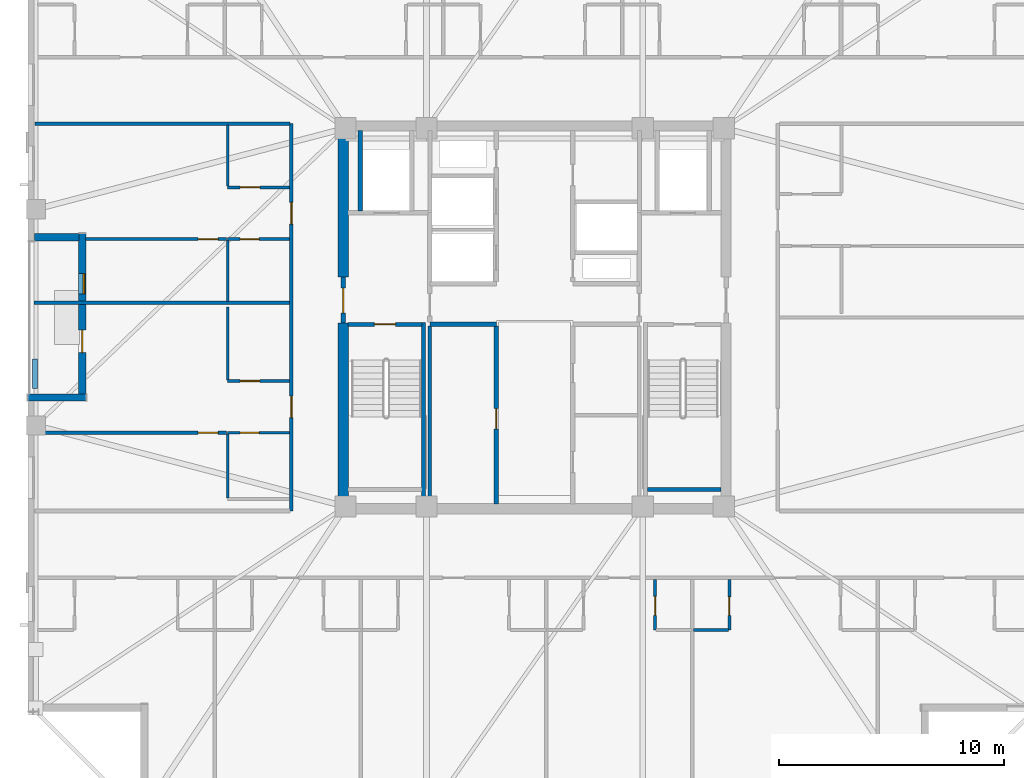
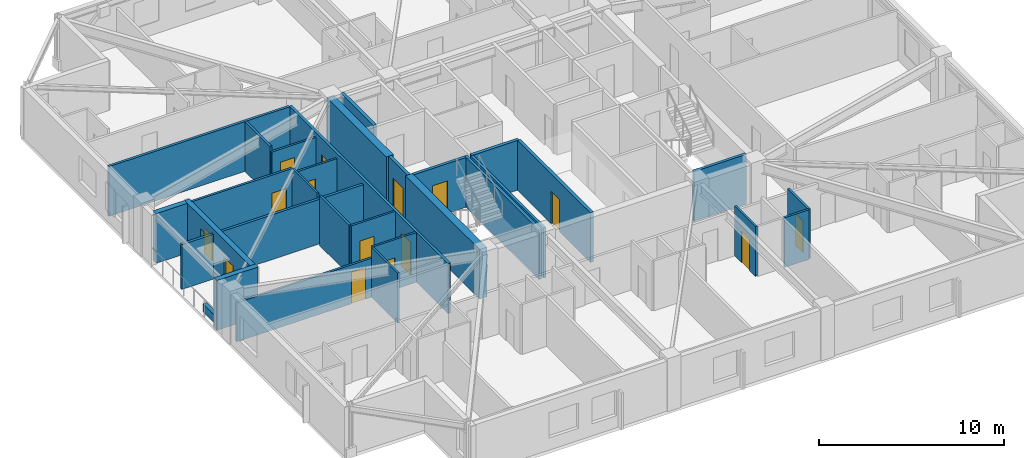
# One storey, part 8 of 17: 30 walls, 14 doors, 1 window, 15 openings.
"""IFC4 building model written with IfcOpenShell, lengths in metres."""

from ifc_helpers import new_model, si_unit, direction, frame, frame_2d, origin, place, context, subcontext, project, spatial, rectangle, extrude, material, layer, layer_set, type_object, element, fill, save


model = new_model("IFC4")

# Units and contexts
model_context = context("Model", 3, precision=1e-05, world=origin(), true_north=direction((0.0, 1.0)))
body_context = subcontext(model_context, "Body", "Model", "MODEL_VIEW")
ifc_project = project(units=[si_unit("LENGTHUNIT", "METRE"), si_unit("AREAUNIT", "SQUARE_METRE"), si_unit("VOLUMEUNIT", "CUBIC_METRE"), si_unit("PLANEANGLEUNIT", "RADIAN"), si_unit("MASSUNIT", "GRAM", prefix="KILO")], contexts=[model_context])

# Site, building, storey
site_placement = place(None, origin())
site = spatial("IfcSite", under=ifc_project, at=site_placement, CompositionType="ELEMENT")
building_placement = place(site_placement, origin())
building = spatial("IfcBuilding", under=site, at=building_placement, Name="Cairnveth Concourse Tower", CompositionType="ELEMENT")
storey_placement = place(building_placement, frame((0.0, 0.0, 241.0)))
storey = spatial("IfcBuildingStorey", under=building, at=storey_placement, Name="L66", CompositionType="ELEMENT", Elevation=241.0)

# Wall
ifc_material_1 = material(Name="Gypsum Plasterboard Partition", Category="gypsum")
ifc_layer_1 = layer(ifc_material_1, 0.159912109375)
ifc_layer_set_1 = layer_set([ifc_layer_1], Name="Gypsum Plasterboard Partition")
wall_type_1 = type_object("IfcWallType", Name="ACOUSTIC PARTY WALL 180", PredefinedType="PARTITIONING", material=ifc_layer_set_1)
wall_1_placement = place(storey_placement, frame((47.35009765625, 30.7099609375, 0.0), z_axis=(0.0, 0.0, 1.0), x_axis=(0.0, 1.0, 0.0)))
element("IfcWall", 1, at=wall_1_placement, inside=storey, type_object=wall_type_1, Name="Interior Wall IW-L66-025", PredefinedType="PARTITIONING", context=body_context, shape_type="SweptSolid", body=[
    extrude(rectangle(XDim=7.905029296875, YDim=0.159912109375, at=frame_2d((3.95263671875, 0.0))), origin(), (0.0, 0.0, 1.0), 3.2900390625),
])

# Wall, openings, doors
wall_2_placement = place(storey_placement, frame((41.199951171875, 30.39990234375, 0.0), z_axis=(0.0, 0.0, 1.0), x_axis=(0.0, 1.0, 0.0)))
wall_2 = element("IfcWall", 2, at=wall_2_placement, inside=storey, type_object=wall_type_1, Name="Interior Wall IW-L66-036", PredefinedType="PARTITIONING", context=body_context, shape_type="SweptSolid", body=[
    extrude(rectangle(XDim=17.2001953125, YDim=0.159912109375, at=frame_2d((8.60009765625, 0.0))), origin(), (0.0, 0.0, 1.0), 3.2900390625),
])
opening_1_placement = place(wall_2_placement, frame((4.14501953125, 0.0, 0.0)))
opening_1 = element("IfcOpeningElement", 3, at=opening_1_placement, cuts=wall_2, Name="Opening ID10", PredefinedType="OPENING", context=body_context, shape_type="SweptSolid", body=[
    extrude(rectangle(XDim=0.9599609375, YDim=2.179931640625, at=frame_2d((0.47998046875, 1.08984375))), frame((0.0, 0.08984375, 0.0), z_axis=(0.0, -1.0, 0.0), x_axis=(1.0, 0.0, 0.0)), (0.0, 0.0, 1.0), 0.179931640625),
])
opening_2_placement = place(wall_2_placement, frame((12.7451171875, 0.0, 0.0)))
opening_2 = element("IfcOpeningElement", 4, at=opening_2_placement, cuts=wall_2, Name="Opening ID10", PredefinedType="OPENING", context=body_context, shape_type="SweptSolid", body=[
    extrude(rectangle(XDim=0.9599609375, YDim=2.179931640625, at=frame_2d((0.47998046875, 1.08984375))), frame((0.0, 0.08984375, 0.0), z_axis=(0.0, -1.0, 0.0), x_axis=(1.0, 0.0, 0.0)), (0.0, 0.0, 1.0), 0.179931640625),
])
ifc_material_2 = material(Name="Solid Core Hardwood Timber Leaf", Category="wood")
door_type_1 = type_object("IfcDoorType", Name="FLAT ENTRANCE DOOR 960X2150", OperationType="NOTDEFINED", PredefinedType="DOOR", material=ifc_material_2)
door_1_placement = place(opening_1_placement, origin())
door_1 = element("IfcDoor", 5, at=door_1_placement, inside=storey, type_object=door_type_1, Name="Apartment L66W1 Entrance Door", OperationType="SINGLE_SWING_LEFT", OverallHeight=2.179931640625, OverallWidth=0.9599609375, PredefinedType="DOOR", context=body_context, shape_type="SweptSolid", body=[
    extrude(rectangle(XDim=0.9599609375, YDim=2.179931640625, at=frame_2d((0.47998046875, 1.08984375))), frame((0.0, 0.02490234375, 0.0), z_axis=(0.0, -1.0, 0.0), x_axis=(1.0, 0.0, 0.0)), (0.0, 0.0, 1.0), 0.050048828125),
])
fill(opening_1, door_1)
door_2_placement = place(opening_2_placement, origin())
door_2 = element("IfcDoor", 6, at=door_2_placement, inside=storey, type_object=door_type_1, Name="Apartment L66W2 Entrance Door", OperationType="SINGLE_SWING_LEFT", OverallHeight=2.179931640625, OverallWidth=0.9599609375, PredefinedType="DOOR", context=body_context, shape_type="SweptSolid", body=[
    extrude(rectangle(XDim=0.9599609375, YDim=2.179931640625, at=frame_2d((0.47998046875, 1.08984375))), frame((0.0, 0.02490234375, 0.0), z_axis=(0.0, -1.0, 0.0), x_axis=(1.0, 0.0, 0.0)), (0.0, 0.0, 1.0), 0.050048828125),
])
fill(opening_2, door_2)

# Walls
wall_3_placement = place(storey_placement, frame((29.804931640625, 47.60009765625, 0.0), z_axis=(0.0, 0.0, 1.0), x_axis=(1.0, 0.0, 0.0)))
element("IfcWall", 7, at=wall_3_placement, inside=storey, type_object=wall_type_1, Name="Interior Wall IW-L66-039", PredefinedType="PARTITIONING", context=body_context, shape_type="SweptSolid", body=[
    extrude(rectangle(XDim=11.330078125, YDim=0.159912109375, at=frame_2d((5.6650390625, 0.0))), origin(), (0.0, 0.0, 1.0), 3.2900390625),
])
wall_4_placement = place(storey_placement, frame((29.77001953125, 39.64990234375, 0.0), z_axis=(0.0, 0.0, 1.0), x_axis=(1.0, 0.0, 0.0)))
element("IfcWall", 8, at=wall_4_placement, inside=storey, type_object=wall_type_1, Name="Interior Wall IW-L66-095", PredefinedType="PARTITIONING", context=body_context, shape_type="SweptSolid", body=[
    extrude(rectangle(XDim=11.35009765625, YDim=0.159912109375, at=frame_2d((5.675048828125, 0.0))), origin(), (0.0, 0.0, 1.0), 2.9580078125),
])
ifc_material_3 = material(Name="Concrete N65 (65 MPa)", Category="concrete")
ifc_layer_2 = layer(ifc_material_3, 0.449951171875)
ifc_layer_set_2 = layer_set([ifc_layer_2], Name="Concrete N65 (65 MPa)")
wall_type_2 = type_object("IfcWallType", Name="CORE SHEAR WALL 450", PredefinedType="SHEAR", material=ifc_layer_set_2)
wall_5_placement = place(storey_placement, frame((43.5, 30.715087890625, 0.0), z_axis=(0.0, 0.0, 1.0), x_axis=(0.0, 1.0, 0.0)))
element("IfcWall", 9, at=wall_5_placement, inside=storey, type_object=wall_type_2, Name="Core West Shear Wall S L66", PredefinedType="SHEAR", context=body_context, shape_type="SweptSolid", body=[
    extrude(rectangle(XDim=8.034912109375, YDim=0.449951171875, at=frame_2d((4.017578125, 0.0))), origin(), (0.0, 0.0, 1.0), 3.2900390625),
])
wall_6_placement = place(storey_placement, frame((43.5, 40.800048828125, 0.0), z_axis=(0.0, 0.0, 1.0), x_axis=(0.0, 1.0, 0.0)))
element("IfcWall", 10, at=wall_6_placement, inside=storey, type_object=wall_type_2, Name="Core West Shear Wall N L66", PredefinedType="SHEAR", context=body_context, shape_type="SweptSolid", body=[
    extrude(rectangle(XDim=6.48486328125, YDim=0.449951171875, at=frame_2d((3.242431640625, 0.0))), origin(), (0.0, 0.0, 1.0), 3.2900390625),
])

# Wall, opening, door
ifc_material_4 = material(Name="Concrete N50 (50 MPa)", Category="concrete")
ifc_layer_3 = layer(ifc_material_4, 0.179931640625)
ifc_layer_set_3 = layer_set([ifc_layer_3], Name="Concrete N50 (50 MPa)")
wall_type_3 = type_object("IfcWallType", Name="FIRE SHAFT WALL 180", PredefinedType="SOLIDWALL", material=ifc_layer_set_3)
wall_7_placement = place(storey_placement, frame((43.715087890625, 38.68994140625, 0.0), z_axis=(0.0, 0.0, 1.0), x_axis=(1.0, 0.0, 0.0)))
wall_7 = element("IfcWall", 11, at=wall_7_placement, inside=storey, type_object=wall_type_3, Name="Stair ST-1 Shaft Wall NEAR L66", PredefinedType="SOLIDWALL", context=body_context, shape_type="SweptSolid", body=[
    extrude(rectangle(XDim=3.280029296875, YDim=0.179931640625, at=frame_2d((1.64013671875, 0.0))), origin(), (0.0, 0.0, 1.0), 3.2900390625),
])
opening_3_placement = place(wall_7_placement, frame((1.1650390625, 0.0, 0.0)))
opening_3 = element("IfcOpeningElement", 12, at=opening_3_placement, cuts=wall_7, Name="Opening ID12", PredefinedType="OPENING", context=body_context, shape_type="SweptSolid", body=[
    extrude(rectangle(XDim=0.949951171875, YDim=2.14990234375, at=frame_2d((0.47509765625, 1.074951171875))), frame((0.0, 0.099853515625, 0.0), z_axis=(0.0, -1.0, 0.0), x_axis=(1.0, 0.0, 0.0)), (0.0, 0.0, 1.0), 0.199951171875),
])
ifc_material_5 = material(Name="Steel Grade 350", Category="steel")
door_type_2 = type_object("IfcDoorType", Name="FIRE STAIR DOOR 950X2150", OperationType="NOTDEFINED", PredefinedType="DOOR", material=ifc_material_5)
door_3_placement = place(opening_3_placement, origin())
door_3 = element("IfcDoor", 13, at=door_3_placement, inside=storey, type_object=door_type_2, Name="Stair ST-1 Fire Door L66", OperationType="SINGLE_SWING_LEFT", OverallHeight=2.14990234375, OverallWidth=0.949951171875, PredefinedType="DOOR", context=body_context, shape_type="SweptSolid", body=[
    extrude(rectangle(XDim=0.949951171875, YDim=2.14990234375, at=frame_2d((0.47509765625, 1.074951171875))), frame((0.0, 0.02490234375, 0.0), z_axis=(0.0, -1.0, 0.0), x_axis=(1.0, 0.0, 0.0)), (0.0, 0.0, 1.0), 0.050048828125),
])
fill(opening_3, door_3)

# Walls
wall_8_placement = place(storey_placement, frame((47.070068359375, 38.780029296875, 0.0), z_axis=(0.0, 0.0, 1.0), x_axis=(0.0, -1.0, 0.0)))
element("IfcWall", 14, at=wall_8_placement, inside=storey, type_object=wall_type_3, Name="Stair ST-1 Shaft Wall RGHT L66", PredefinedType="SOLIDWALL", context=body_context, shape_type="SweptSolid", body=[
    extrude(rectangle(XDim=8.067138671875, YDim=0.179931640625, at=frame_2d((4.03369140625, 0.0))), origin(), (0.0, 0.0, 1.0), 3.2900390625),
])
wall_9_placement = place(storey_placement, frame((57.0048828125, 31.360107421875, 0.0), z_axis=(0.0, 0.0, 1.0), x_axis=(1.0, 0.0, 0.0)))
element("IfcWall", 15, at=wall_9_placement, inside=storey, type_object=wall_type_3, Name="Stair ST-2 Shaft Wall FAR L66", PredefinedType="SOLIDWALL", context=body_context, shape_type="SweptSolid", body=[
    extrude(rectangle(XDim=3.280029296875, YDim=0.179931640625, at=frame_2d((1.64013671875, 0.0))), origin(), (0.0, 0.0, 1.0), 3.2900390625),
])
ifc_layer_4 = layer(ifc_material_4, 0.199951171875)
ifc_layer_set_4 = layer_set([ifc_layer_4], Name="Concrete N50 (50 MPa)")
wall_type_4 = type_object("IfcWallType", Name="FIRE SHAFT WALL 200", PredefinedType="SOLIDWALL", material=ifc_layer_set_4)
wall_10_placement = place(storey_placement, frame((47.35009765625, 38.699951171875, 0.0), z_axis=(0.0, 0.0, 1.0), x_axis=(1.0, 0.0, 0.0)))
element("IfcWall", 16, at=wall_10_placement, inside=storey, type_object=wall_type_4, Name="Interior Wall IW-L66-007", PredefinedType="SOLIDWALL", context=body_context, shape_type="SweptSolid", body=[
    extrude(rectangle(XDim=2.949951171875, YDim=0.199951171875, at=frame_2d((1.47509765625, 0.0))), origin(), (0.0, 0.0, 1.0), 3.2900390625),
])

# Wall, opening, door
wall_11_placement = place(storey_placement, frame((50.300048828125, 30.7099609375, 0.0), z_axis=(0.0, 0.0, 1.0), x_axis=(0.0, 1.0, 0.0)))
wall_11 = element("IfcWall", 17, at=wall_11_placement, inside=storey, type_object=wall_type_4, Name="Interior Wall IW-L66-011", PredefinedType="SOLIDWALL", context=body_context, shape_type="SweptSolid", body=[
    extrude(rectangle(XDim=7.905029296875, YDim=0.199951171875, at=frame_2d((3.95263671875, 0.0))), origin(), (0.0, 0.0, 1.0), 3.2900390625),
])
opening_4_placement = place(wall_11_placement, frame((3.340087890625, 0.0, 0.0)))
opening_4 = element("IfcOpeningElement", 18, at=opening_4_placement, cuts=wall_11, Name="Opening ID16", PredefinedType="OPENING", context=body_context, shape_type="SweptSolid", body=[
    extrude(rectangle(XDim=0.89990234375, YDim=2.1201171875, at=frame_2d((0.449951171875, 1.06005859375))), frame((0.0, 0.10986328125, 0.0), z_axis=(0.0, -1.0, 0.0), x_axis=(1.0, 0.0, 0.0)), (0.0, 0.0, 1.0), 0.219970703125),
])
door_type_3 = type_object("IfcDoorType", Name="CORE SERVICE DOOR 900X2100", OperationType="NOTDEFINED", PredefinedType="DOOR", material=ifc_material_5)
door_4_placement = place(opening_4_placement, origin())
door_4 = element("IfcDoor", 19, at=door_4_placement, inside=storey, type_object=door_type_3, Name="Linen Pantry Suite Door L66", OperationType="SINGLE_SWING_LEFT", OverallHeight=2.1201171875, OverallWidth=0.89990234375, PredefinedType="DOOR", context=body_context, shape_type="SweptSolid", body=[
    extrude(rectangle(XDim=0.89990234375, YDim=2.1201171875, at=frame_2d((0.449951171875, 1.06005859375))), frame((0.0, 0.02490234375, 0.0), z_axis=(0.0, -1.0, 0.0), x_axis=(1.0, 0.0, 0.0)), (0.0, 0.0, 1.0), 0.050048828125),
])
fill(opening_4, door_4)

wall_12_placement = place(storey_placement, frame((43.5, 38.75, 0.0), z_axis=(0.0, 0.0, 1.0), x_axis=(0.0, 1.0, 0.0)))
wall_12 = element("IfcWall", 20, at=wall_12_placement, inside=storey, type_object=wall_type_4, Name="Interior Wall IW-L66-015", PredefinedType="SOLIDWALL", context=body_context, shape_type="SweptSolid", body=[
    extrude(rectangle(XDim=2.050048828125, YDim=0.199951171875, at=frame_2d((1.02490234375, 0.0))), origin(), (0.0, 0.0, 1.0), 3.2900390625),
])
opening_5_placement = place(wall_12_placement, frame((0.449951171875, 0.0, 0.0)))
opening_5 = element("IfcOpeningElement", 21, at=opening_5_placement, cuts=wall_12, Name="Opening ID06", PredefinedType="OPENING", context=body_context, shape_type="SweptSolid", body=[
    extrude(rectangle(XDim=1.10009765625, YDim=2.14990234375, at=frame_2d((0.550048828125, 1.074951171875))), frame((0.0, 0.10986328125, 0.0), z_axis=(0.0, -1.0, 0.0), x_axis=(1.0, 0.0, 0.0)), (0.0, 0.0, 1.0), 0.219970703125),
])
door_type_4 = type_object("IfcDoorType", Name="FIRE CORRIDOR DOOR 1100X2150", OperationType="NOTDEFINED", PredefinedType="DOOR", material=ifc_material_5)
door_5_placement = place(opening_5_placement, origin())
door_5 = element("IfcDoor", 22, at=door_5_placement, inside=storey, type_object=door_type_4, Name="West Wing to FF Lobby Door L66", OperationType="SINGLE_SWING_LEFT", OverallHeight=2.14990234375, OverallWidth=1.10009765625, PredefinedType="DOOR", context=body_context, shape_type="SweptSolid", body=[
    extrude(rectangle(XDim=1.10009765625, YDim=2.14990234375, at=frame_2d((0.550048828125, 1.074951171875))), frame((0.0, 0.02490234375, 0.0), z_axis=(0.0, -1.0, 0.0), x_axis=(1.0, 0.0, 0.0)), (0.0, 0.0, 1.0), 0.050048828125),
])
fill(opening_5, door_5)

# Wall
wall_13_placement = place(storey_placement, frame((44.25, 43.735107421875, 0.0), z_axis=(0.0, 0.0, 1.0), x_axis=(0.0, 1.0, 0.0)))
element("IfcWall", 23, at=wall_13_placement, inside=storey, type_object=wall_type_4, Name="Interior Wall IW-L66-019", PredefinedType="SOLIDWALL", context=body_context, shape_type="SweptSolid", body=[
    extrude(rectangle(XDim=3.554931640625, YDim=0.199951171875, at=frame_2d((1.77734375, 0.0))), origin(), (0.0, 0.0, 1.0), 3.2900390625),
])

# Wall, opening, door
ifc_layer_5 = layer(ifc_material_1, 0.139892578125)
ifc_layer_set_5 = layer_set([ifc_layer_5], Name="Gypsum Plasterboard Partition")
wall_type_5 = type_object("IfcWallType", Name="GYPSUM STUD PARTITION 140", PredefinedType="PARTITIONING", material=ifc_layer_set_5)
wall_14_placement = place(storey_placement, frame((29.8798828125, 33.875, 0.0), z_axis=(0.0, 0.0, 1.0), x_axis=(1.0, 0.0, 0.0)))
wall_14 = element("IfcWall", 24, at=wall_14_placement, inside=storey, type_object=wall_type_5, Name="Interior Wall IW-L66-101", PredefinedType="PARTITIONING", context=body_context, shape_type="SweptSolid", body=[
    extrude(rectangle(XDim=8.440185546875, YDim=0.139892578125, at=frame_2d((4.22021484375, 0.0))), origin(), (0.0, 0.0, 1.0), 2.572998046875),
])
opening_6_placement = place(wall_14_placement, frame((7.179931640625, 0.0, 0.0)))
opening_6 = element("IfcOpeningElement", 25, at=opening_6_placement, cuts=wall_14, Name="Opening ID18", PredefinedType="OPENING", context=body_context, shape_type="SweptSolid", body=[
    extrude(rectangle(XDim=0.8798828125, YDim=2.10009765625, at=frame_2d((0.43994140625, 1.050048828125))), frame((0.0, 0.079833984375, 0.0), z_axis=(0.0, -1.0, 0.0), x_axis=(1.0, 0.0, 0.0)), (0.0, 0.0, 1.0), 0.159912109375),
])
door_type_5 = type_object("IfcDoorType", Name="INTERIOR SINGLE DOOR 880X2100", OperationType="NOTDEFINED", PredefinedType="DOOR", material=ifc_material_2)
door_6_placement = place(opening_6_placement, origin())
door_6 = element("IfcDoor", 26, at=door_6_placement, inside=storey, type_object=door_type_5, Name="L66W1 Master Bedroom Door", OperationType="SINGLE_SWING_RIGHT", OverallHeight=2.10009765625, OverallWidth=0.8798828125, PredefinedType="DOOR", context=body_context, shape_type="SweptSolid", body=[
    extrude(rectangle(XDim=0.8798828125, YDim=2.10009765625, at=frame_2d((0.43994140625, 1.050048828125))), frame((0.0, 0.02490234375, 0.0), z_axis=(0.0, -1.0, 0.0), x_axis=(1.0, 0.0, 0.0)), (0.0, 0.0, 1.0), 0.050048828125),
])
fill(opening_6, door_6)

wall_15_placement = place(storey_placement, frame((32.054931640625, 42.47509765625, 0.0), z_axis=(0.0, 0.0, 1.0), x_axis=(1.0, 0.0, 0.0)))
wall_15 = element("IfcWall", 27, at=wall_15_placement, inside=storey, type_object=wall_type_5, Name="Interior Wall IW-L66-106", PredefinedType="PARTITIONING", context=body_context, shape_type="SweptSolid", body=[
    extrude(rectangle(XDim=6.26513671875, YDim=0.139892578125, at=frame_2d((3.132568359375, 0.0))), origin(), (0.0, 0.0, 1.0), 3.2900390625),
])
opening_7_placement = place(wall_15_placement, frame((5.0048828125, 0.0, 0.0)))
opening_7 = element("IfcOpeningElement", 28, at=opening_7_placement, cuts=wall_15, Name="Opening ID18", PredefinedType="OPENING", context=body_context, shape_type="SweptSolid", body=[
    extrude(rectangle(XDim=0.8798828125, YDim=2.10009765625, at=frame_2d((0.43994140625, 1.050048828125))), frame((0.0, 0.079833984375, 0.0), z_axis=(0.0, -1.0, 0.0), x_axis=(1.0, 0.0, 0.0)), (0.0, 0.0, 1.0), 0.159912109375),
])
door_7_placement = place(opening_7_placement, origin())
door_7 = element("IfcDoor", 29, at=door_7_placement, inside=storey, type_object=door_type_5, Name="L66W2 Master Bedroom Door", OperationType="SINGLE_SWING_RIGHT", OverallHeight=2.10009765625, OverallWidth=0.8798828125, PredefinedType="DOOR", context=body_context, shape_type="SweptSolid", body=[
    extrude(rectangle(XDim=0.8798828125, YDim=2.10009765625, at=frame_2d((0.43994140625, 1.050048828125))), frame((0.0, 0.02490234375, 0.0), z_axis=(0.0, -1.0, 0.0), x_axis=(1.0, 0.0, 0.0)), (0.0, 0.0, 1.0), 0.050048828125),
])
fill(opening_7, door_7)

# Wall
ifc_material_6 = material(Name="Dressed Melbourne Bluestone Cladding", Category="masonry")
ifc_layer_6 = layer(ifc_material_6, 0.219970703125)
ifc_layer_set_6 = layer_set([ifc_layer_6], Name="Dressed Melbourne Bluestone Cladding")
wall_type_6 = type_object("IfcWallType", Name="TERRACE PLANTER CURB WALL 220", PredefinedType="PARAPET", material=ifc_layer_set_6)
wall_16_placement = place(storey_placement, frame((29.820068359375, 35.85009765625, 0.0), z_axis=(0.0, 0.0, 1.0), x_axis=(0.0, 1.0, 0.0)))
element("IfcWall", 30, at=wall_16_placement, inside=storey, type_object=wall_type_6, Name="Exterior Wall PLNT-L66-TERR", PredefinedType="PARAPET", context=body_context, shape_type="SweptSolid", body=[
    extrude(rectangle(XDim=1.2998046875, YDim=0.219970703125, at=frame_2d((0.64990234375, 0.0))), origin(), (0.0, 0.0, 1.0), 0.550048828125),
])

# Wall, opening, door
ifc_layer_7 = layer(ifc_material_1, 0.1298828125)
ifc_layer_set_7 = layer_set([ifc_layer_7], Name="Gypsum Plasterboard Partition")
wall_type_7 = type_object("IfcWallType", Name="WET AREA PARTITION 140", PredefinedType="PLUMBINGWALL", material=ifc_layer_set_7)
wall_17_placement = place(storey_placement, frame((57.35009765625, 25.112548828125, 0.0), z_axis=(0.0, 0.0, 1.0), x_axis=(0.0, 1.0, 0.0)))
wall_17 = element("IfcWall", 31, at=wall_17_placement, inside=storey, type_object=wall_type_7, Name="Interior Wall IW-L66-059", PredefinedType="PLUMBINGWALL", context=body_context, shape_type="SweptSolid", body=[
    extrude(rectangle(XDim=2.25, YDim=0.1298828125, at=frame_2d((1.125, 0.0))), origin(), (0.0, 0.0, 1.0), 3.2900390625),
])
opening_8_placement = place(wall_17_placement, frame((0.64990234375, 0.0, 0.0)))
opening_8 = element("IfcOpeningElement", 32, at=opening_8_placement, cuts=wall_17, Name="Opening ID20", PredefinedType="OPENING", context=body_context, shape_type="SweptSolid", body=[
    extrude(rectangle(XDim=0.85009765625, YDim=2.10009765625, at=frame_2d((0.425048828125, 1.050048828125))), frame((0.0, 0.074951171875, 0.0), z_axis=(0.0, -1.0, 0.0), x_axis=(1.0, 0.0, 0.0)), (0.0, 0.0, 1.0), 0.14990234375),
])
door_type_6 = type_object("IfcDoorType", Name="INTERIOR SINGLE DOOR 850X2100", OperationType="NOTDEFINED", PredefinedType="DOOR", material=ifc_material_2)
door_8_placement = place(opening_8_placement, origin())
door_8 = element("IfcDoor", 33, at=door_8_placement, inside=storey, type_object=door_type_6, Name="L66STS4 Kitchen Door", OperationType="SINGLE_SWING_LEFT", OverallHeight=2.10009765625, OverallWidth=0.85009765625, PredefinedType="DOOR", context=body_context, shape_type="SweptSolid", body=[
    extrude(rectangle(XDim=0.85009765625, YDim=2.10009765625, at=frame_2d((0.425048828125, 1.050048828125))), frame((0.0, 0.02490234375, 0.0), z_axis=(0.0, -1.0, 0.0), x_axis=(1.0, 0.0, 0.0)), (0.0, 0.0, 1.0), 0.050048828125),
])
fill(opening_8, door_8)

wall_18_placement = place(storey_placement, frame((60.64990234375, 25.112548828125, 0.0), z_axis=(0.0, 0.0, 1.0), x_axis=(0.0, 1.0, 0.0)))
wall_18 = element("IfcWall", 34, at=wall_18_placement, inside=storey, type_object=wall_type_7, Name="Interior Wall IW-L66-062", PredefinedType="PLUMBINGWALL", context=body_context, shape_type="SweptSolid", body=[
    extrude(rectangle(XDim=2.25, YDim=0.1298828125, at=frame_2d((1.125, 0.0))), origin(), (0.0, 0.0, 1.0), 3.2900390625),
])
opening_9_placement = place(wall_18_placement, frame((0.64990234375, 0.0, 0.0)))
opening_9 = element("IfcOpeningElement", 35, at=opening_9_placement, cuts=wall_18, Name="Opening ID22", PredefinedType="OPENING", context=body_context, shape_type="SweptSolid", body=[
    extrude(rectangle(XDim=0.820068359375, YDim=2.10009765625, at=frame_2d((0.41015625, 1.050048828125))), frame((0.0, 0.074951171875, 0.0), z_axis=(0.0, -1.0, 0.0), x_axis=(1.0, 0.0, 0.0)), (0.0, 0.0, 1.0), 0.14990234375),
])
door_type_7 = type_object("IfcDoorType", Name="INTERIOR WC DOOR 820X2100", OperationType="NOTDEFINED", PredefinedType="DOOR", material=ifc_material_2)
door_9_placement = place(opening_9_placement, origin())
door_9 = element("IfcDoor", 36, at=door_9_placement, inside=storey, type_object=door_type_7, Name="L66STS5 Bathroom Door", OperationType="SINGLE_SWING_LEFT", OverallHeight=2.10009765625, OverallWidth=0.820068359375, PredefinedType="DOOR", context=body_context, shape_type="SweptSolid", body=[
    extrude(rectangle(XDim=0.820068359375, YDim=2.10009765625, at=frame_2d((0.41015625, 1.050048828125))), frame((0.0, 0.02490234375, 0.0), z_axis=(0.0, -1.0, 0.0), x_axis=(1.0, 0.0, 0.0)), (0.0, 0.0, 1.0), 0.050048828125),
])
fill(opening_9, door_9)

# Wall
wall_19_placement = place(storey_placement, frame((59.06494140625, 25.112548828125, 0.0), z_axis=(0.0, 0.0, 1.0), x_axis=(1.0, 0.0, 0.0)))
element("IfcWall", 37, at=wall_19_placement, inside=storey, type_object=wall_type_7, Name="Interior Wall IW-L66-063", PredefinedType="PLUMBINGWALL", context=body_context, shape_type="SweptSolid", body=[
    extrude(rectangle(XDim=1.53515625, YDim=0.1298828125, at=frame_2d((0.767578125, 0.0))), origin(), (0.0, 0.0, 1.0), 3.2900390625),
])

# Wall, opening, door
wall_20_placement = place(storey_placement, frame((38.3701171875, 33.875, 0.0), z_axis=(0.0, 0.0, 1.0), x_axis=(1.0, 0.0, 0.0)))
wall_20 = element("IfcWall", 38, at=wall_20_placement, inside=storey, type_object=wall_type_7, Name="Interior Wall IW-L66-097", PredefinedType="PLUMBINGWALL", context=body_context, shape_type="SweptSolid", body=[
    extrude(rectangle(XDim=2.75, YDim=0.1298828125, at=frame_2d((1.375, 0.0))), origin(), (0.0, 0.0, 1.0), 3.2900390625),
])
opening_10_placement = place(wall_20_placement, frame((0.550048828125, 0.0, 0.0)))
opening_10 = element("IfcOpeningElement", 39, at=opening_10_placement, cuts=wall_20, Name="Opening ID21", PredefinedType="OPENING", context=body_context, shape_type="SweptSolid", body=[
    extrude(rectangle(XDim=0.85009765625, YDim=2.080078125, at=frame_2d((0.425048828125, 1.0400390625))), frame((0.0, 0.074951171875, 0.0), z_axis=(0.0, -1.0, 0.0), x_axis=(1.0, 0.0, 0.0)), (0.0, 0.0, 1.0), 0.14990234375),
])
door_type_8 = type_object("IfcDoorType", Name="INTERIOR WC DOOR 850X2100", OperationType="NOTDEFINED", PredefinedType="DOOR", material=ifc_material_2)
door_10_placement = place(opening_10_placement, origin())
door_10 = element("IfcDoor", 40, at=door_10_placement, inside=storey, type_object=door_type_8, Name="L66W1 Bathroom Door", OperationType="SINGLE_SWING_RIGHT", OverallHeight=2.080078125, OverallWidth=0.85009765625, PredefinedType="DOOR", context=body_context, shape_type="SweptSolid", body=[
    extrude(rectangle(XDim=0.85009765625, YDim=2.080078125, at=frame_2d((0.425048828125, 1.0400390625))), frame((0.0, 0.02490234375, 0.0), z_axis=(0.0, -1.0, 0.0), x_axis=(1.0, 0.0, 0.0)), (0.0, 0.0, 1.0), 0.050048828125),
])
fill(opening_10, door_10)

# Wall
wall_21_placement = place(storey_placement, frame((38.3701171875, 30.97509765625, 0.0), z_axis=(0.0, 0.0, 1.0), x_axis=(0.0, 1.0, 0.0)))
element("IfcWall", 41, at=wall_21_placement, inside=storey, type_object=wall_type_7, Name="Interior Wall IW-L66-098", PredefinedType="PLUMBINGWALL", context=body_context, shape_type="SweptSolid", body=[
    extrude(rectangle(XDim=2.849853515625, YDim=0.1298828125, at=frame_2d((1.4248046875, 0.0))), origin(), (0.0, 0.0, 1.0), 3.2900390625),
])

# Wall, opening, door
wall_22_placement = place(storey_placement, frame((38.3701171875, 36.175048828125, 0.0), z_axis=(0.0, 0.0, 1.0), x_axis=(1.0, 0.0, 0.0)))
wall_22 = element("IfcWall", 42, at=wall_22_placement, inside=storey, type_object=wall_type_7, Name="Interior Wall IW-L66-099", PredefinedType="PLUMBINGWALL", context=body_context, shape_type="SweptSolid", body=[
    extrude(rectangle(XDim=2.75, YDim=0.1298828125, at=frame_2d((1.375, 0.0))), origin(), (0.0, 0.0, 1.0), 3.2900390625),
])
opening_11_placement = place(wall_22_placement, frame((0.550048828125, 0.0, 0.0)))
opening_11 = element("IfcOpeningElement", 43, at=opening_11_placement, cuts=wall_22, Name="Opening ID18", PredefinedType="OPENING", context=body_context, shape_type="SweptSolid", body=[
    extrude(rectangle(XDim=0.8798828125, YDim=2.10009765625, at=frame_2d((0.43994140625, 1.050048828125))), frame((0.0, 0.074951171875, 0.0), z_axis=(0.0, -1.0, 0.0), x_axis=(1.0, 0.0, 0.0)), (0.0, 0.0, 1.0), 0.14990234375),
])
door_11_placement = place(opening_11_placement, origin())
door_11 = element("IfcDoor", 44, at=door_11_placement, inside=storey, type_object=door_type_5, Name="L66W1 Kitchen Door", OperationType="SINGLE_SWING_LEFT", OverallHeight=2.10009765625, OverallWidth=0.8798828125, PredefinedType="DOOR", context=body_context, shape_type="SweptSolid", body=[
    extrude(rectangle(XDim=0.8798828125, YDim=2.10009765625, at=frame_2d((0.43994140625, 1.050048828125))), frame((0.0, 0.02490234375, 0.0), z_axis=(0.0, -1.0, 0.0), x_axis=(1.0, 0.0, 0.0)), (0.0, 0.0, 1.0), 0.050048828125),
])
fill(opening_11, door_11)

# Wall
wall_23_placement = place(storey_placement, frame((38.3701171875, 36.22509765625, 0.0), z_axis=(0.0, 0.0, 1.0), x_axis=(0.0, 1.0, 0.0)))
element("IfcWall", 45, at=wall_23_placement, inside=storey, type_object=wall_type_7, Name="Interior Wall IW-L66-100", PredefinedType="PLUMBINGWALL", context=body_context, shape_type="SweptSolid", body=[
    extrude(rectangle(XDim=3.239990234375, YDim=0.1298828125, at=frame_2d((1.6201171875, 0.0))), origin(), (0.0, 0.0, 1.0), 3.2900390625),
])

# Wall, opening, door
wall_24_placement = place(storey_placement, frame((38.3701171875, 42.47509765625, 0.0), z_axis=(0.0, 0.0, 1.0), x_axis=(1.0, 0.0, 0.0)))
wall_24 = element("IfcWall", 46, at=wall_24_placement, inside=storey, type_object=wall_type_7, Name="Interior Wall IW-L66-102", PredefinedType="PLUMBINGWALL", context=body_context, shape_type="SweptSolid", body=[
    extrude(rectangle(XDim=2.75, YDim=0.1298828125, at=frame_2d((1.375, 0.0))), origin(), (0.0, 0.0, 1.0), 2.9580078125),
])
opening_12_placement = place(wall_24_placement, frame((0.550048828125, 0.0, 0.0)))
opening_12 = element("IfcOpeningElement", 47, at=opening_12_placement, cuts=wall_24, Name="Opening ID21", PredefinedType="OPENING", context=body_context, shape_type="SweptSolid", body=[
    extrude(rectangle(XDim=0.85009765625, YDim=2.080078125, at=frame_2d((0.425048828125, 1.0400390625))), frame((0.0, 0.074951171875, 0.0), z_axis=(0.0, -1.0, 0.0), x_axis=(1.0, 0.0, 0.0)), (0.0, 0.0, 1.0), 0.14990234375),
])
door_12_placement = place(opening_12_placement, origin())
door_12 = element("IfcDoor", 48, at=door_12_placement, inside=storey, type_object=door_type_8, Name="L66W2 Bathroom Door", OperationType="SINGLE_SWING_RIGHT", OverallHeight=2.080078125, OverallWidth=0.85009765625, PredefinedType="DOOR", context=body_context, shape_type="SweptSolid", body=[
    extrude(rectangle(XDim=0.85009765625, YDim=2.080078125, at=frame_2d((0.425048828125, 1.0400390625))), frame((0.0, 0.02490234375, 0.0), z_axis=(0.0, -1.0, 0.0), x_axis=(1.0, 0.0, 0.0)), (0.0, 0.0, 1.0), 0.050048828125),
])
fill(opening_12, door_12)

# Wall
wall_25_placement = place(storey_placement, frame((38.3701171875, 39.715087890625, 0.0), z_axis=(0.0, 0.0, 1.0), x_axis=(0.0, 1.0, 0.0)))
element("IfcWall", 49, at=wall_25_placement, inside=storey, type_object=wall_type_7, Name="Interior Wall IW-L66-103", PredefinedType="PLUMBINGWALL", context=body_context, shape_type="SweptSolid", body=[
    extrude(rectangle(XDim=2.7099609375, YDim=0.1298828125, at=frame_2d((1.35498046875, 0.0))), origin(), (0.0, 0.0, 1.0), 3.2900390625),
])

# Wall, opening, door
wall_26_placement = place(storey_placement, frame((38.3701171875, 44.77490234375, 0.0), z_axis=(0.0, 0.0, 1.0), x_axis=(1.0, 0.0, 0.0)))
wall_26 = element("IfcWall", 50, at=wall_26_placement, inside=storey, type_object=wall_type_7, Name="Interior Wall IW-L66-104", PredefinedType="PLUMBINGWALL", context=body_context, shape_type="SweptSolid", body=[
    extrude(rectangle(XDim=2.75, YDim=0.1298828125, at=frame_2d((1.375, 0.0))), origin(), (0.0, 0.0, 1.0), 2.9580078125),
])
opening_13_placement = place(wall_26_placement, frame((0.550048828125, 0.0, 0.0)))
opening_13 = element("IfcOpeningElement", 51, at=opening_13_placement, cuts=wall_26, Name="Opening ID18", PredefinedType="OPENING", context=body_context, shape_type="SweptSolid", body=[
    extrude(rectangle(XDim=0.8798828125, YDim=2.10009765625, at=frame_2d((0.43994140625, 1.050048828125))), frame((0.0, 0.074951171875, 0.0), z_axis=(0.0, -1.0, 0.0), x_axis=(1.0, 0.0, 0.0)), (0.0, 0.0, 1.0), 0.14990234375),
])
door_13_placement = place(opening_13_placement, origin())
door_13 = element("IfcDoor", 52, at=door_13_placement, inside=storey, type_object=door_type_5, Name="L66W2 Kitchen Door", OperationType="SINGLE_SWING_LEFT", OverallHeight=2.10009765625, OverallWidth=0.8798828125, PredefinedType="DOOR", context=body_context, shape_type="SweptSolid", body=[
    extrude(rectangle(XDim=0.8798828125, YDim=2.10009765625, at=frame_2d((0.43994140625, 1.050048828125))), frame((0.0, 0.02490234375, 0.0), z_axis=(0.0, -1.0, 0.0), x_axis=(1.0, 0.0, 0.0)), (0.0, 0.0, 1.0), 0.050048828125),
])
fill(opening_13, door_13)

# Walls
wall_27_placement = place(storey_placement, frame((38.3701171875, 44.824951171875, 0.0), z_axis=(0.0, 0.0, 1.0), x_axis=(0.0, 1.0, 0.0)))
element("IfcWall", 53, at=wall_27_placement, inside=storey, type_object=wall_type_7, Name="Interior Wall IW-L66-105", PredefinedType="PLUMBINGWALL", context=body_context, shape_type="SweptSolid", body=[
    extrude(rectangle(XDim=2.7099609375, YDim=0.1298828125, at=frame_2d((1.35498046875, 0.0))), origin(), (0.0, 0.0, 1.0), 3.2900390625),
])
ifc_material_7 = material(Name="Melbourne Buff Fired Clay Brick Masonry", Category="masonry")
ifc_layer_8 = layer(ifc_material_7, 0.320068359375)
ifc_layer_set_8 = layer_set([ifc_layer_8], Name="Melbourne Buff Fired Clay Brick Masonry")
wall_type_8 = type_object("IfcWallType", Name="ZONE 3 BRICK PIER SPANDREL WALL 320", PredefinedType="SOLIDWALL", material=ifc_layer_set_8)
wall_28_placement = place(storey_placement, frame((29.5, 35.43994140625, 0.0), z_axis=(0.0, 0.0, 1.0), x_axis=(1.0, 0.0, 0.0)))
element("IfcWall", 54, at=wall_28_placement, inside=storey, type_object=wall_type_8, Name="Exterior Wall EW-L66-S13", PredefinedType="SOLIDWALL", context=body_context, shape_type="SweptSolid", body=[
    extrude(rectangle(XDim=2.570068359375, YDim=0.320068359375, at=frame_2d((1.28515625, 0.0))), origin(), (0.0, 0.0, 1.0), 3.2900390625),
])

# Wall, openings, window, door
wall_29_placement = place(storey_placement, frame((31.909912109375, 35.577880859375, 0.0), z_axis=(0.0, 0.0, 1.0), x_axis=(0.0, 1.0, 0.0)))
wall_29 = element("IfcWall", 55, at=wall_29_placement, inside=storey, type_object=wall_type_8, Name="Exterior Wall EW-L66-S14", PredefinedType="SOLIDWALL", context=body_context, shape_type="SweptSolid", body=[
    extrude(rectangle(XDim=7.14208984375, YDim=0.320068359375, at=frame_2d((3.571044921875, 0.0))), origin(), (0.0, 0.0, 1.0), 3.2900390625),
])
opening_14_placement = place(wall_29_placement, frame((1.861083984375, 0.0, 0.0)))
opening_14 = element("IfcOpeningElement", 56, at=opening_14_placement, cuts=wall_29, Name="Opening ED4", PredefinedType="OPENING", context=body_context, shape_type="SweptSolid", body=[
    extrude(rectangle(XDim=1.0, YDim=2.14990234375, at=frame_2d((0.5, 1.074951171875))), frame((0.0, 0.169921875, 0.0), z_axis=(0.0, -1.0, 0.0), x_axis=(1.0, 0.0, 0.0)), (0.0, 0.0, 1.0), 0.340087890625),
])
opening_15_placement = place(wall_29_placement, frame((4.469970703125, 0.0, 0.800048828125)))
opening_15 = element("IfcOpeningElement", 57, at=opening_15_placement, cuts=wall_29, Name="Opening W13", PredefinedType="OPENING", context=body_context, shape_type="SweptSolid", body=[
    extrude(rectangle(XDim=0.89990234375, YDim=1.677978515625, at=frame_2d((0.449951171875, 0.8388671875))), frame((0.0, 0.169921875, 0.0), z_axis=(0.0, -1.0, 0.0), x_axis=(1.0, 0.0, 0.0)), (0.0, 0.0, 1.0), 0.340087890625),
])
ifc_material_8 = material(Name="Double Glazed Low-E Clear Glass", Category="glass")
window_type = type_object("IfcWindowType", Name="DEEP-SET BEDROOM LANCET WINDOW 900X1750", PartitioningType="DOUBLE_PANEL_VERTICAL", PredefinedType="WINDOW", material=ifc_material_8)
window_placement = place(opening_15_placement, origin())
window = element("IfcWindow", 58, at=window_placement, inside=storey, type_object=window_type, Name="Dwelling Lancet Window L66-DW5", OverallHeight=1.677978515625, OverallWidth=0.89990234375, PartitioningType="SINGLE_PANEL", PredefinedType="WINDOW", context=body_context, shape_type="SweptSolid", body=[
    extrude(rectangle(XDim=0.89990234375, YDim=1.677978515625, at=frame_2d((0.449951171875, 0.8388671875))), frame((0.0, -0.0400390625, 0.0), z_axis=(0.0, -1.0, 0.0), x_axis=(1.0, 0.0, 0.0)), (0.0, 0.0, 1.0), 0.06005859375),
])
fill(opening_15, window)
ifc_material_9 = material(Name="Architectural Bronze Anodised Aluminium 6063-T6", Category="aluminium")
door_type_9 = type_object("IfcDoorType", Name="TERRACE GLAZED DOOR 1000X2150", OperationType="NOTDEFINED", PredefinedType="DOOR", material=ifc_material_9)
door_14_placement = place(opening_14_placement, origin())
door_14 = element("IfcDoor", 59, at=door_14_placement, inside=storey, type_object=door_type_9, Name="Spiral Terrace Door L66", OperationType="SINGLE_SWING_LEFT", OverallHeight=2.14990234375, OverallWidth=1.0, PredefinedType="DOOR", context=body_context, shape_type="SweptSolid", body=[
    extrude(rectangle(XDim=1.0, YDim=2.14990234375, at=frame_2d((0.5, 1.074951171875))), frame((0.0, 0.02490234375, 0.0), z_axis=(0.0, -1.0, 0.0), x_axis=(1.0, 0.0, 0.0)), (0.0, 0.0, 1.0), 0.050048828125),
])
fill(opening_14, door_14)

# Wall
wall_30_placement = place(storey_placement, frame((31.77197265625, 42.56005859375, 0.0), z_axis=(0.0, 0.0, 1.0), x_axis=(-1.0, 0.0, 0.0)))
element("IfcWall", 60, at=wall_30_placement, inside=storey, type_object=wall_type_8, Name="Exterior Wall EW-L66-S15", PredefinedType="SOLIDWALL", context=body_context, shape_type="SweptSolid", body=[
    extrude(rectangle(XDim=1.973876953125, YDim=0.320068359375, at=frame_2d((0.98681640625, 0.0))), origin(), (0.0, 0.0, 1.0), 3.2900390625),
])

save(model, "model.ifc")
